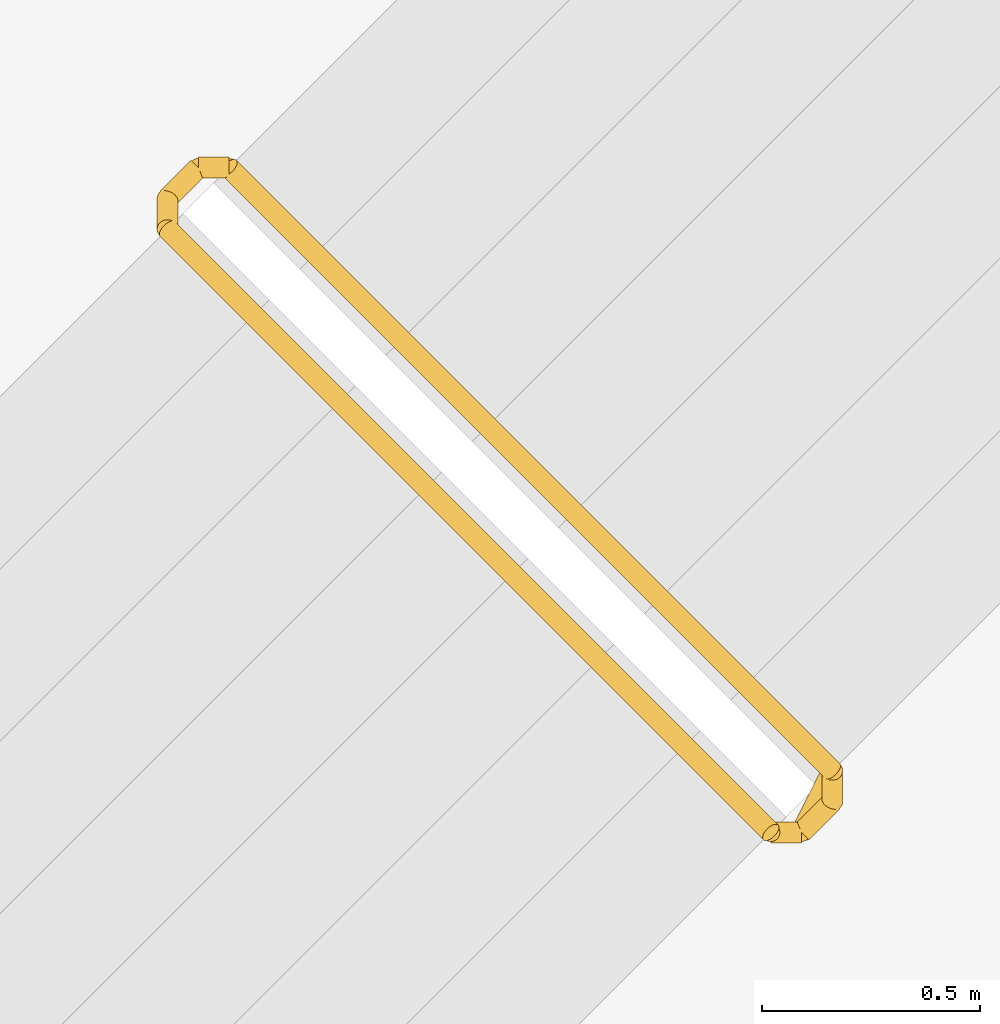
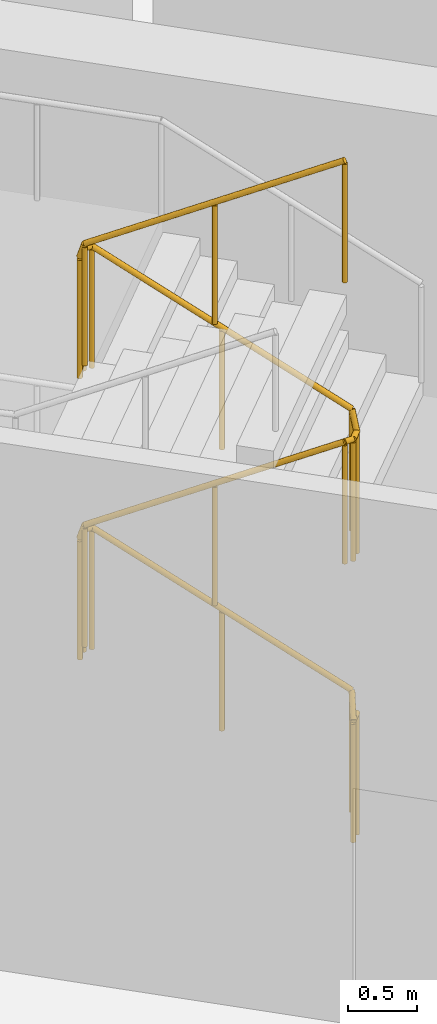
# One storey, part 20 of 21: 1 railing.
"""IFC4 building model written with IfcOpenShell, lengths in metres."""

from ifc_helpers import new_model, si_unit, direction, frame, origin, origin_2d, place, context, subcontext, project, spatial, circle, extrude, material, type_object, element, save


model = new_model("IFC4")

# Units and contexts
model_context = context("Model", 3, precision=1e-05, world=origin(), true_north=direction((0.0, 1.0)))
body_context = subcontext(model_context, "Body", "Model", "MODEL_VIEW")
ifc_project = project(units=[si_unit("LENGTHUNIT", "METRE"), si_unit("AREAUNIT", "SQUARE_METRE"), si_unit("VOLUMEUNIT", "CUBIC_METRE"), si_unit("PLANEANGLEUNIT", "RADIAN"), si_unit("MASSUNIT", "GRAM", prefix="KILO")], contexts=[model_context])

# Site, building, storey
site_placement = place(None, origin())
site = spatial("IfcSite", under=ifc_project, at=site_placement, CompositionType="ELEMENT")
building_placement = place(site_placement, origin())
building = spatial("IfcBuilding", under=site, at=building_placement, Name="Verdalira Terraces Hotel", CompositionType="ELEMENT")
storey_placement = place(building_placement, frame((0.0, 0.0, 175.0)))
storey = spatial("IfcBuildingStorey", under=building, at=storey_placement, Name="L42", CompositionType="ELEMENT", Elevation=175.0)

# Railing
ifc_material = material(Name="Stainless steel", Category="steel")
railing_type = type_object("IfcRailingType", Name="Stair guard 1100", PredefinedType="GUARDRAIL", material=ifc_material)
railing_placement = place(storey_placement, frame((9.369141, 6.682129, 0.0)))
element("IfcRailing", 1, at=railing_placement, inside=storey, type_object=railing_type, Name="L42 ST1 stair guard 1", PredefinedType="GUARDRAIL", context=body_context, shape_type="SweptSolid", body=[
    extrude(circle(Radius=0.023926, at=origin_2d()), frame((0.0, 0.0, 1.076172), z_axis=(-0.707106781, -0.707106781, 0.0), x_axis=(0.707106781, -0.707106781, 0.0)), (0.0, 0.0, 1.0), 0.100098),
    extrude(circle(Radius=0.023926, at=origin_2d()), frame((-0.070801, -0.070801, 1.076172), z_axis=(0.31829718, 0.63659436, 0.702448949), x_axis=(-0.894427191, 0.447213596, 0.0)), (0.0, 0.0, 1.0), 0.222412),
    extrude(circle(Radius=0.023926, at=origin_2d()), frame((0.0, 0.070801, 1.232422), z_axis=(-0.61747733, 0.61747733, 0.48728174), x_axis=(-0.707106781, -0.707106781, 0.0)), (0.0, 0.0, 1.0), 2.244629),
    extrude(circle(Radius=0.023926, at=origin_2d()), frame((-1.385986, 1.456787, 2.326172), z_axis=(-1.0, 0.0, 0.0), x_axis=(0.0, -1.0, 0.0)), (0.0, 0.0, 1.0), 0.070557),
    extrude(circle(Radius=0.023926, at=origin_2d()), frame((-1.456543, 1.456787, 2.326172), z_axis=(-0.707106781, -0.707106781, 0.0), x_axis=(0.707106781, -0.707106781, 0.0)), (0.0, 0.0, 1.0), 0.100098),
    extrude(circle(Radius=0.023926, at=origin_2d()), frame((-1.527344, 1.385986, 2.326172), z_axis=(0.0, -0.412730377, 0.910853246), x_axis=(1.0, 0.0, 0.0)), (0.0, 0.0, 1.0), 0.171631),
    extrude(circle(Radius=0.023926, at=origin_2d()), frame((-1.527344, 1.315186, 2.482422), z_axis=(0.61747733, -0.61747733, 0.48728174), x_axis=(0.707106781, 0.707106781, 0.0)), (0.0, 0.0, 1.0), 2.244629),
    extrude(circle(Radius=0.023926, at=origin_2d()), frame((-0.141357, -0.070801, 3.576172), z_axis=(1.0, 0.0, 0.0), x_axis=(0.0, 1.0, 0.0)), (0.0, 0.0, 1.0), 0.070557),
    extrude(circle(Radius=0.023926, at=origin_2d()), frame((-0.070801, -0.070801, 3.576172), z_axis=(0.707106781, 0.707106781, 0.0), x_axis=(-0.707106781, 0.707106781, 0.0)), (0.0, 0.0, 1.0), 0.100098),
    extrude(circle(Radius=0.023926, at=origin_2d()), frame((0.0, 0.0, 3.576172), z_axis=(0.0, 0.412730377, 0.910853246), x_axis=(-1.0, 0.0, 0.0)), (0.0, 0.0, 1.0), 0.171631),
    extrude(circle(Radius=0.023926, at=origin_2d()), frame((0.0, 0.070801, 3.732422), z_axis=(-0.61747733, 0.61747733, 0.48728174), x_axis=(-0.707106781, -0.707106781, 0.0)), (0.0, 0.0, 1.0), 2.244629),
    extrude(circle(Radius=0.023926, at=origin_2d()), frame((-1.385986, 1.456787, 4.826172), z_axis=(-1.0, 0.0, 0.0), x_axis=(0.0, -1.0, 0.0)), (0.0, 0.0, 1.0), 0.070557),
    extrude(circle(Radius=0.023926, at=origin_2d()), frame((-1.456543, 1.456787, 4.826172), z_axis=(-0.707106781, -0.707106781, 0.0), x_axis=(0.707106781, -0.707106781, 0.0)), (0.0, 0.0, 1.0), 0.100098),
    extrude(circle(Radius=0.023926, at=origin_2d()), frame((-1.527344, 1.385986, 4.826172), z_axis=(0.0, -0.412730377, 0.910853246), x_axis=(1.0, 0.0, 0.0)), (0.0, 0.0, 1.0), 0.171631),
    extrude(circle(Radius=0.023926, at=origin_2d()), frame((-1.527344, 1.315186, 4.982422), z_axis=(0.61747733, -0.61747733, 0.48728174), x_axis=(0.707106781, 0.707106781, 0.0)), (0.0, 0.0, 1.0), 2.244629),
    extrude(circle(Radius=0.020996, at=origin_2d()), origin(), (0.0, 0.0, 1.0), 1.052002),
    extrude(circle(Radius=0.020996, at=origin_2d()), frame((-0.070801, -0.070801, 0.0)), (0.0, 0.0, 1.0), 1.052002),
    extrude(circle(Radius=0.020996, at=origin_2d()), frame((0.0, 0.070801, 0.15625)), (0.0, 0.0, 1.0), 1.052002),
    extrude(circle(Radius=0.020996, at=origin_2d()), frame((-0.692871, 0.763672, 0.703125)), (0.0, 0.0, 1.0), 1.052002),
    extrude(circle(Radius=0.020996, at=origin_2d()), frame((-1.385986, 1.456787, 1.25)), (0.0, 0.0, 1.0), 1.052002),
    extrude(circle(Radius=0.020996, at=origin_2d()), frame((-1.456543, 1.456787, 1.25)), (0.0, 0.0, 1.0), 1.052002),
    extrude(circle(Radius=0.020996, at=origin_2d()), frame((-1.527344, 1.385986, 1.25)), (0.0, 0.0, 1.0), 1.052002),
    extrude(circle(Radius=0.020996, at=origin_2d()), frame((-1.527344, 1.315186, 1.40625)), (0.0, 0.0, 1.0), 1.052002),
    extrude(circle(Radius=0.020996, at=origin_2d()), frame((-0.834473, 0.62207, 1.953125)), (0.0, 0.0, 1.0), 1.052002),
    extrude(circle(Radius=0.020996, at=origin_2d()), frame((-0.141357, -0.070801, 2.5)), (0.0, 0.0, 1.0), 1.052002),
    extrude(circle(Radius=0.020996, at=origin_2d()), frame((-0.070801, -0.070801, 2.5)), (0.0, 0.0, 1.0), 1.052002),
    extrude(circle(Radius=0.020996, at=origin_2d()), frame((0.0, 0.0, 2.5)), (0.0, 0.0, 1.0), 1.052002),
    extrude(circle(Radius=0.020996, at=origin_2d()), frame((0.0, 0.070801, 2.65625)), (0.0, 0.0, 1.0), 1.052002),
    extrude(circle(Radius=0.020996, at=origin_2d()), frame((-0.692871, 0.763672, 3.203125)), (0.0, 0.0, 1.0), 1.052002),
    extrude(circle(Radius=0.020996, at=origin_2d()), frame((-1.385986, 1.456787, 3.75)), (0.0, 0.0, 1.0), 1.052002),
    extrude(circle(Radius=0.020996, at=origin_2d()), frame((-1.456543, 1.456787, 3.75)), (0.0, 0.0, 1.0), 1.052002),
    extrude(circle(Radius=0.020996, at=origin_2d()), frame((-1.527344, 1.385986, 3.75)), (0.0, 0.0, 1.0), 1.052002),
    extrude(circle(Radius=0.020996, at=origin_2d()), frame((-1.527344, 1.315186, 3.90625)), (0.0, 0.0, 1.0), 1.052002),
    extrude(circle(Radius=0.020996, at=origin_2d()), frame((-0.834473, 0.62207, 4.453125)), (0.0, 0.0, 1.0), 1.052002),
    extrude(circle(Radius=0.020996, at=origin_2d()), frame((-0.141357, -0.070801, 5.0)), (0.0, 0.0, 1.0), 1.052002),
])

save(model, "model.ifc")
